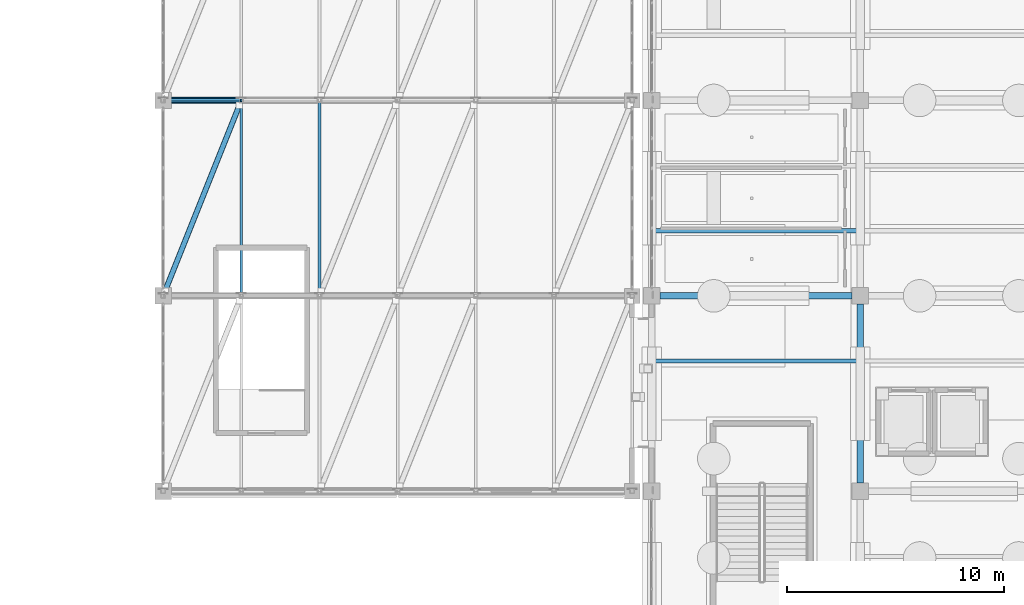
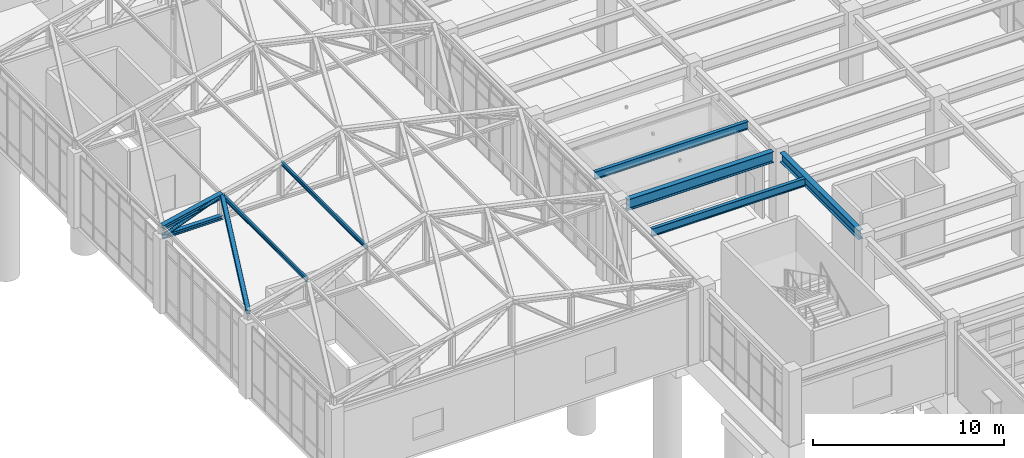
# One storey, part 44 of 139: 5 beams, 5 members.
"""IFC4 building model written with IfcOpenShell, lengths in metres."""

from ifc_helpers import new_model, si_unit, direction, frame, origin, origin_2d, place, context, subcontext, project, spatial, hollow_rectangle, hollow_circle, i_section, extrude, material, material_profile, profile_set, type_object, element, save


model = new_model("IFC4")

# Units and contexts
model_context = context("Model", 3, precision=1e-05, world=origin(), true_north=direction((0.0, 1.0)))
body_context = subcontext(model_context, "Body", "Model", "MODEL_VIEW")
ifc_project = project(units=[si_unit("LENGTHUNIT", "METRE"), si_unit("AREAUNIT", "SQUARE_METRE"), si_unit("VOLUMEUNIT", "CUBIC_METRE"), si_unit("PLANEANGLEUNIT", "RADIAN"), si_unit("MASSUNIT", "GRAM", prefix="KILO")], contexts=[model_context])

# Site, building, storey
site_placement = place(None, origin())
site = spatial("IfcSite", under=ifc_project, at=site_placement, CompositionType="ELEMENT")
building_placement = place(site_placement, origin())
building = spatial("IfcBuilding", under=site, at=building_placement, Name="Canglan Escarpment Cableway Terminal", CompositionType="ELEMENT")
storey_placement = place(building_placement, frame((0.0, 0.0, 14.39990234375)))
storey = spatial("IfcBuildingStorey", under=building, at=storey_placement, Name="L03", CompositionType="ELEMENT", Elevation=14.39990234375)

# Beams
ifc_material_1 = material(Name="Steel Q355C", Category="steel")
ifc_material_profile_1 = material_profile(ifc_material_1, i_section(OverallWidth=0.302001953125, OverallDepth=0.593994140625, WebThickness=0.013916015625, FlangeThickness=0.02294921875, FilletRadius=0.028076171875, at=origin_2d()), Name="HM 594x302x14x23")
ifc_profile_set_1 = profile_set([ifc_material_profile_1], Name="Steel Q355C")
beam_type_1 = type_object("IfcBeamType", Name="BM-HM594", PredefinedType="BEAM", material=ifc_profile_set_1)
beam_1_placement = place(storey_placement, frame((147.199951171875, 43.375, 4.203125), z_axis=(0.0, 1.0, 0.0), x_axis=(-1.0, 0.0, 0.0)))
element("IfcBeam", 1, at=beam_1_placement, inside=storey, type_object=beam_type_1, Name="Primary transverse girder B-07", PredefinedType="BEAM", context=body_context, shape_type="SweptSolid", body=[
    extrude(i_section(OverallWidth=0.302001953125, OverallDepth=0.593994140625, WebThickness=0.013916015625, FlangeThickness=0.02294921875, FilletRadius=0.028076171875, at=origin_2d()), origin(), (0.0, 0.0, 1.0), 8.25),
])
ifc_material_profile_2 = material_profile(ifc_material_1, i_section(OverallWidth=0.300048828125, OverallDepth=0.699951171875, WebThickness=0.012939453125, FlangeThickness=0.02392578125, FilletRadius=0.028076171875, at=origin_2d()), Name="HN 700x300x13x24")
ifc_profile_set_2 = profile_set([ifc_material_profile_2], Name="Steel Q355C")
beam_type_2 = type_object("IfcBeamType", Name="BM-HN700", PredefinedType="BEAM", material=ifc_profile_set_2)
beam_2_placement = place(storey_placement, frame((137.97509765625, 52.0, 4.150146484375), z_axis=(1.0, 0.0, 0.0), x_axis=(0.0, 1.0, 0.0)))
element("IfcBeam", 2, at=beam_2_placement, inside=storey, type_object=beam_type_2, Name="Primary structural girder B-06", PredefinedType="BEAM", context=body_context, shape_type="SweptSolid", body=[
    extrude(i_section(OverallWidth=0.300048828125, OverallDepth=0.699951171875, WebThickness=0.012939453125, FlangeThickness=0.02392578125, FilletRadius=0.028076171875, at=origin_2d()), origin(), (0.0, 0.0, 1.0), 8.849853515625),
])
ifc_material_2 = material(Name="Steel Q355B", Category="steel")
ifc_material_profile_3 = material_profile(ifc_material_2, i_section(OverallWidth=0.300048828125, OverallDepth=0.300048828125, WebThickness=0.010009765625, FlangeThickness=0.014892578125, FilletRadius=0.01806640625, at=origin_2d()), Name="HW 300x300x10x15")
ifc_profile_set_3 = profile_set([ifc_material_profile_3], Name="Steel Q355B")
beam_type_3 = type_object("IfcBeamType", Name="BM-PRATT-TOP-HW300", PredefinedType="BEAM", material=ifc_profile_set_3)
beam_3_placement = place(storey_placement, frame((115.10009765625, 61.0, 5.25), z_axis=(0.976182386713, 0.0, 0.216951487369), x_axis=(0.0, 1.0, 0.0)))
element("IfcBeam", 3, at=beam_3_placement, inside=storey, type_object=beam_type_3, Name="Cabin Garage ROOF TRUSS top chord PT-TC1", PredefinedType="BEAM", context=body_context, shape_type="SweptSolid", body=[
    extrude(i_section(OverallWidth=0.300048828125, OverallDepth=0.300048828125, WebThickness=0.010009765625, FlangeThickness=0.014892578125, FilletRadius=0.01806640625, at=origin_2d()), origin(), (0.0, 0.0, 1.0), 3.687744140625),
])
ifc_material_profile_4 = material_profile(ifc_material_2, i_section(OverallWidth=0.199951171875, OverallDepth=0.5, WebThickness=0.010009765625, FlangeThickness=0.01611328125, FilletRadius=0.02001953125, at=origin_2d()), Name="HN 500x200x10x16")
ifc_profile_set_4 = profile_set([ifc_material_profile_4], Name="Steel Q355B")
beam_type_4 = type_object("IfcBeamType", Name="JS-HN500", PredefinedType="JOIST", material=ifc_profile_set_4)
for number, where, z_axis, x_axis, name in (
    (4, (137.7509765625, 49.0, 4.25), (1.0, 0.0, 0.0), (0.0, 1.0, 0.0), "Secondary composite deck joist J-01"),
    (5, (137.7509765625, 55.0, 4.25), (1.0, 0.0, 0.0), (0.0, 1.0, 0.0), "Secondary composite deck joist J-01"),
):
    element("IfcBeam", number, at=place(storey_placement, frame(where, z_axis=z_axis, x_axis=x_axis)), inside=storey, type_object=beam_type_4, Name=name, PredefinedType="JOIST", context=body_context, shape_type="SweptSolid", body=[
        extrude(i_section(OverallWidth=0.199951171875, OverallDepth=0.5, WebThickness=0.010009765625, FlangeThickness=0.01611328125, FilletRadius=0.02001953125, at=origin_2d()), origin(), (0.0, 0.0, 1.0), 9.298095703125),
    ])

# Members
ifc_material_profile_5 = material_profile(ifc_material_2, hollow_rectangle(XDim=0.25, YDim=0.25, WallThickness=0.010009765625, InnerFilletRadius=0.010009765625, OuterFilletRadius=0.02001953125, at=origin_2d()), Name="SHS 250x250x10")
ifc_profile_set_5 = profile_set([ifc_material_profile_5], Name="Steel Q355B")
member_type_1 = type_object("IfcMemberType", Name="MB-FRAME-BR-SHS250", PredefinedType="BRACE", material=ifc_profile_set_5)
member_1_placement = place(storey_placement, frame((115.10009765625, 52.0, 5.25), z_axis=(0.37011910414, 0.925335412344, 0.082257056919), x_axis=(-0.928481901832, 0.371377648723, 0.0)))
element("IfcMember", 6, at=member_1_placement, inside=storey, type_object=member_type_1, Name="Cabin Garage roof lateral brace BR-02", PredefinedType="BRACE", context=body_context, shape_type="SweptSolid", body=[
    extrude(hollow_rectangle(XDim=0.25, YDim=0.25, WallThickness=0.010009765625, InnerFilletRadius=0.010009765625, OuterFilletRadius=0.02001953125, at=origin_2d()), origin(), (0.0, 0.0, 1.0), 9.726318359375),
])
ifc_material_profile_6 = material_profile(ifc_material_2, i_section(OverallWidth=0.125, OverallDepth=0.25, WebThickness=0.006103515625, FlangeThickness=0.009033203125, FilletRadius=0.011962890625, at=origin_2d()), Name="HN 250x125x6x9")
ifc_profile_set_6 = profile_set([ifc_material_profile_6], Name="Steel Q355B")
member_type_2 = type_object("IfcMemberType", Name="MB-GARAGE-PUR-HN250", PredefinedType="PURLIN", material=ifc_profile_set_6)
for number, where, z_axis, x_axis, name in (
    (7, (118.699951171875, 52.0, 6.030029296875), (0.0, 1.0, 0.0), (-1.0, 0.0, 0.0), "Cabin Garage roof purlin PR-02"),
    (8, (122.300048828125, 52.0, 6.830078125), (0.0, 1.0, 0.0), (-1.0, 0.0, 0.0), "Cabin Garage roof purlin PR-02"),
):
    element("IfcMember", number, at=place(storey_placement, frame(where, z_axis=z_axis, x_axis=x_axis)), inside=storey, type_object=member_type_2, Name=name, PredefinedType="PURLIN", context=body_context, shape_type="SweptSolid", body=[
        extrude(i_section(OverallWidth=0.125, OverallDepth=0.25, WebThickness=0.006103515625, FlangeThickness=0.009033203125, FilletRadius=0.011962890625, at=origin_2d()), origin(), (0.0, 0.0, 1.0), 9.0),
    ])
ifc_material_profile_7 = material_profile(ifc_material_2, i_section(OverallWidth=0.25, OverallDepth=0.25, WebThickness=0.009033203125, FlangeThickness=0.013916015625, FilletRadius=0.01611328125, at=origin_2d()), Name="HW 250x250x9x14")
ifc_profile_set_7 = profile_set([ifc_material_profile_7], Name="Steel Q355B")
member_type_3 = type_object("IfcMemberType", Name="MB-PRATT-BOT-HW250", PredefinedType="CHORD", material=ifc_profile_set_7)
member_2_placement = place(storey_placement, frame((115.10009765625, 61.0, 4.650146484375), z_axis=(1.0, 0.0, 0.0), x_axis=(0.0, 1.0, 0.0)))
element("IfcMember", 9, at=member_2_placement, inside=storey, type_object=member_type_3, Name="Cabin Garage ROOF TRUSS bottom chord PT-BC1", PredefinedType="CHORD", context=body_context, shape_type="SweptSolid", body=[
    extrude(i_section(OverallWidth=0.25, OverallDepth=0.25, WebThickness=0.009033203125, FlangeThickness=0.013916015625, FilletRadius=0.01611328125, at=origin_2d()), origin(), (0.0, 0.0, 1.0), 3.599853515625),
])
ifc_material_profile_8 = material_profile(ifc_material_2, hollow_circle(Radius=0.109619140625, WallThickness=0.008056640625, at=origin_2d()), Name="CHS 219.1x8")
ifc_profile_set_8 = profile_set([ifc_material_profile_8], Name="Steel Q355B")
member_type_4 = type_object("IfcMemberType", Name="MB-PRATT-DIAG-CHS219", PredefinedType="BRACE", material=ifc_profile_set_8)
member_3_placement = place(storey_placement, frame((115.10009765625, 61.0, 4.650146484375), z_axis=(0.932008230148, 0.0, 0.36243711032), x_axis=(0.0, 1.0, 0.0)))
element("IfcMember", 10, at=member_3_placement, inside=storey, type_object=member_type_4, Name="Cabin Garage ROOF TRUSS diagonal PT-DG1", PredefinedType="BRACE", context=body_context, shape_type="SweptSolid", body=[
    extrude(hollow_circle(Radius=0.109619140625, WallThickness=0.008056640625, at=origin_2d()), origin(), (0.0, 0.0, 1.0), 3.862548828125),
])

save(model, "model.ifc")
